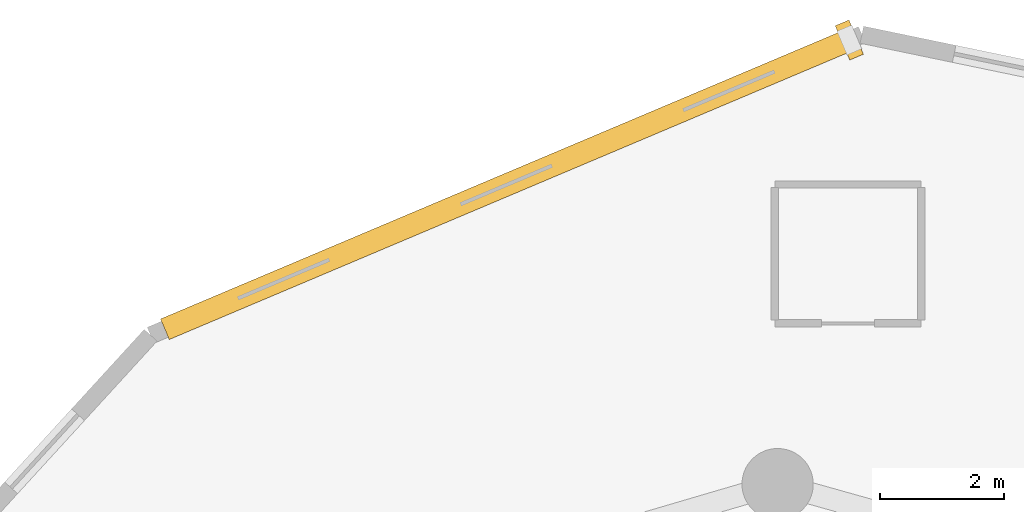
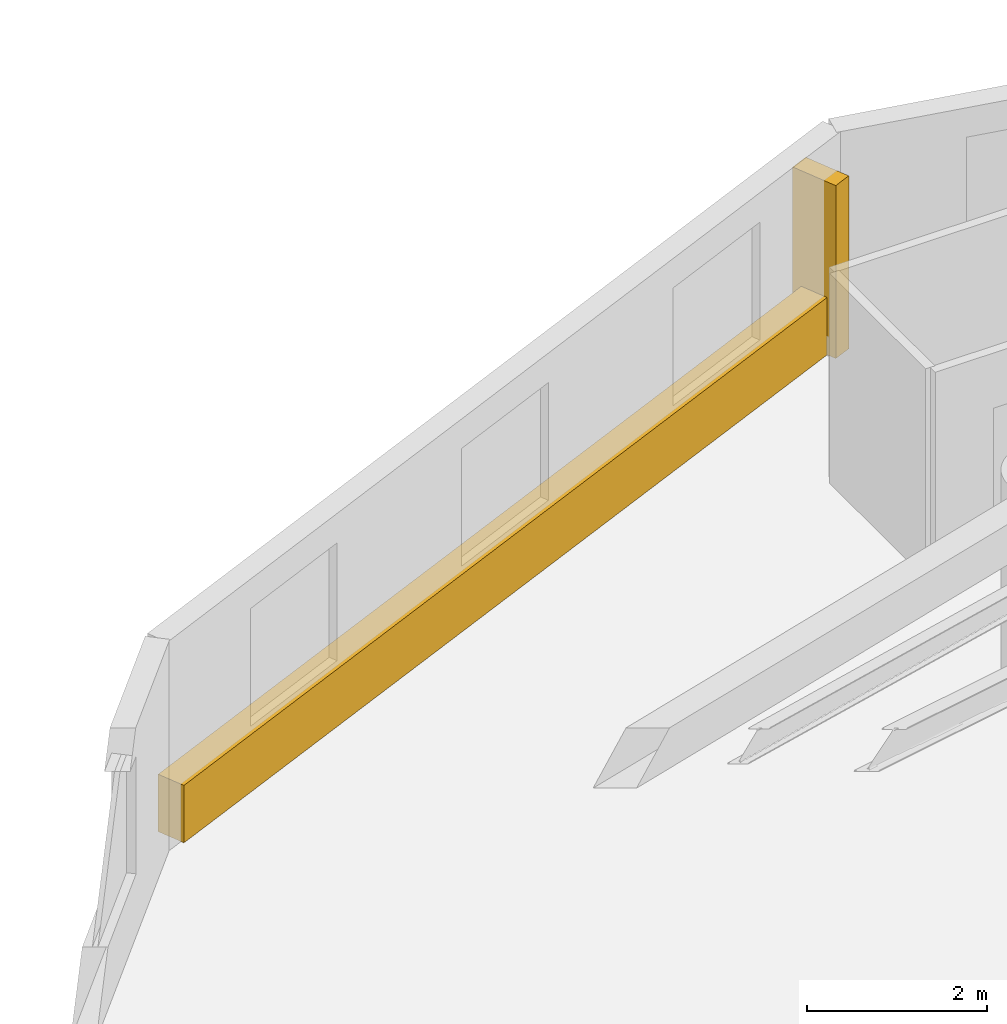
# One storey, part 9 of 9: 1 covering, 1 shading device.
"""IFC4 building model written with IfcOpenShell, lengths in metres."""

from ifc_helpers import new_model, si_unit, direction, frame, origin, origin_with_axes, origin_2d, place, context, subcontext, project, spatial, rectangle, extrude, source, transform, mapped, material, layer, layer_set, type_object, element, save


model = new_model("IFC4")

# Units and contexts
model_context = context("Model", 3, precision=1e-05, world=origin(), true_north=direction((0.0, 1.0)))
body_context = subcontext(model_context, "Body", "Model", "MODEL_VIEW")
ifc_project = project(units=[si_unit("LENGTHUNIT", "METRE"), si_unit("AREAUNIT", "SQUARE_METRE"), si_unit("VOLUMEUNIT", "CUBIC_METRE"), si_unit("PLANEANGLEUNIT", "RADIAN"), si_unit("MASSUNIT", "GRAM", prefix="KILO")], contexts=[model_context])

# Site, building, storey
site_placement = place(None, origin())
site = spatial("IfcSite", under=ifc_project, at=site_placement, CompositionType="ELEMENT")
building_placement = place(site_placement, origin())
building = spatial("IfcBuilding", under=site, at=building_placement, Name="Karkom Vertical University and Central Library", CompositionType="ELEMENT")
storey_placement = place(building_placement, frame((0.0, 0.0, 232.14990234375)))
storey = spatial("IfcBuildingStorey", under=building, at=storey_placement, Name="L68", CompositionType="ELEMENT", Elevation=232.14990234375)

# Shading device
ifc_material_1 = material(Name="Terracotta-clad precast concrete sun-breaker fin C45/55", Category="masonry")
shading_device_type = type_object("IfcShadingDeviceType", Name="ENV-SHD-BRISE", PredefinedType="USERDEFINED", material=ifc_material_1)
shared_shape_1 = source(origin_with_axes(), body_context, "Body", "SweptSolid", [
    extrude(rectangle(XDim=0.239990234375, YDim=0.60009765625, at=origin_2d()), origin(), (0.0, 0.0, 1.0), 2.35009765625),
])
shading_device_placement = place(storey_placement, frame((28.230712890625, 47.843994140625, 0.0), z_axis=(0.0, 0.0, 1.0), x_axis=(-0.921117476594, -0.389284721396, 0.0)))
element("IfcShadingDevice", 1, at=shading_device_placement, inside=storey, type_object=shading_device_type, Name="Level 68 Brutalist Brise-Soleil Fin 09", ObjectType="BRISE SOLEIL", PredefinedType="USERDEFINED", context=body_context, shape_type="MappedRepresentation", body=[
    mapped(shared_shape_1, transform((0.0, 0.0, 0.0), scale=1.0)),
])

# Covering
ifc_material_2 = material(Name="Hand-pressed red-ochre terracotta brick slip cladding", Category="masonry")
ifc_layer = layer(ifc_material_2, 0.090087890625)
ifc_layer_set = layer_set([ifc_layer], Name="Hand-pressed red-ochre terracotta brick slip cladding")
covering_type = type_object("IfcCoveringType", Name="ENV-COV-CLAD", PredefinedType="CLADDING", material=ifc_layer_set)
shared_shape_2 = source(origin_with_axes(), body_context, "Body", "SweptSolid", [
    extrude(rectangle(XDim=11.9609375, YDim=0.360107421875, at=origin_2d()), origin(), (0.0, 0.0, 1.0), 0.780029296875),
])
covering_placement = place(storey_placement, frame((22.694091796875, 45.50439453125, 0.0), z_axis=(0.0, 0.0, 1.0), x_axis=(-0.921117476594, -0.389284721396, 0.0)))
element("IfcCovering", 2, at=covering_placement, inside=storey, type_object=covering_type, Name="Level 68 Terracotta Spandrel Cladding 09", PredefinedType="CLADDING", context=body_context, shape_type="MappedRepresentation", body=[
    mapped(shared_shape_2, transform((0.0, 0.0, 0.0), scale=1.0)),
])

save(model, "model.ifc")
